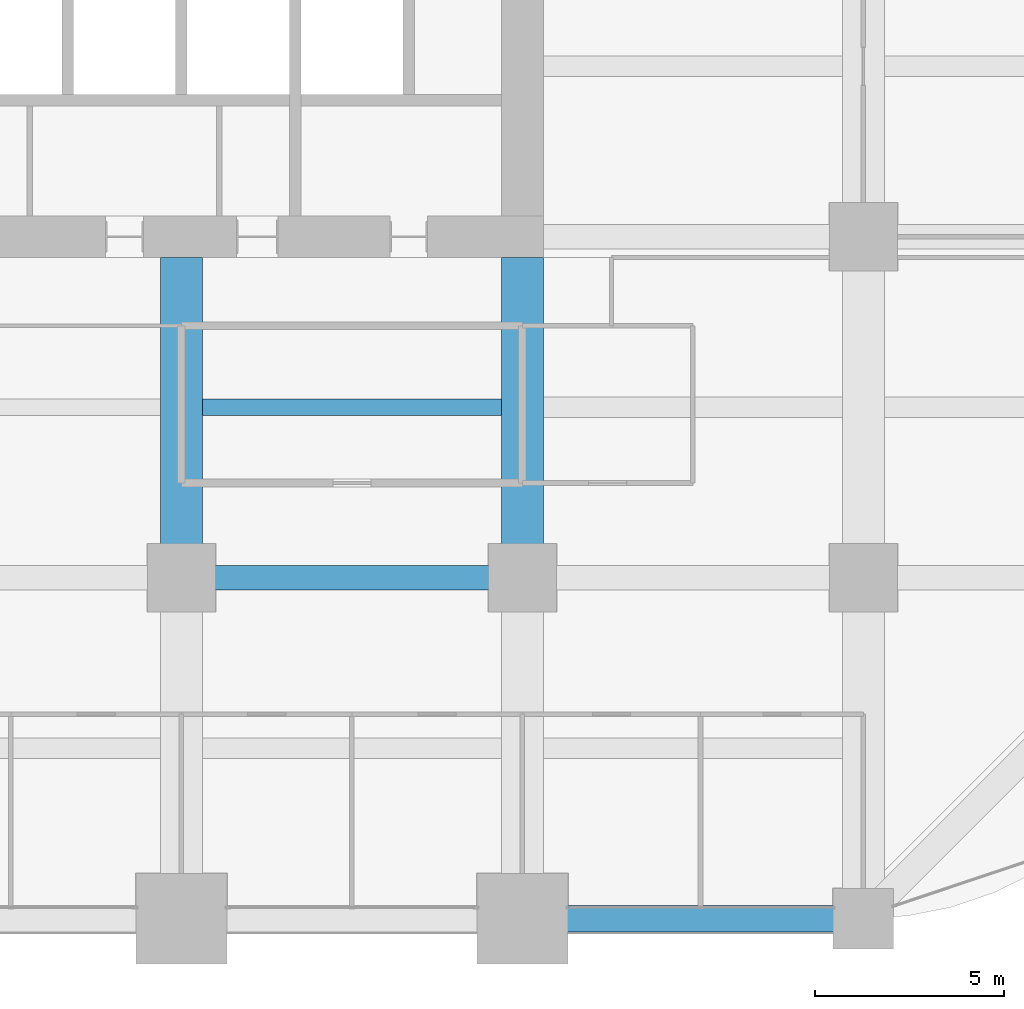
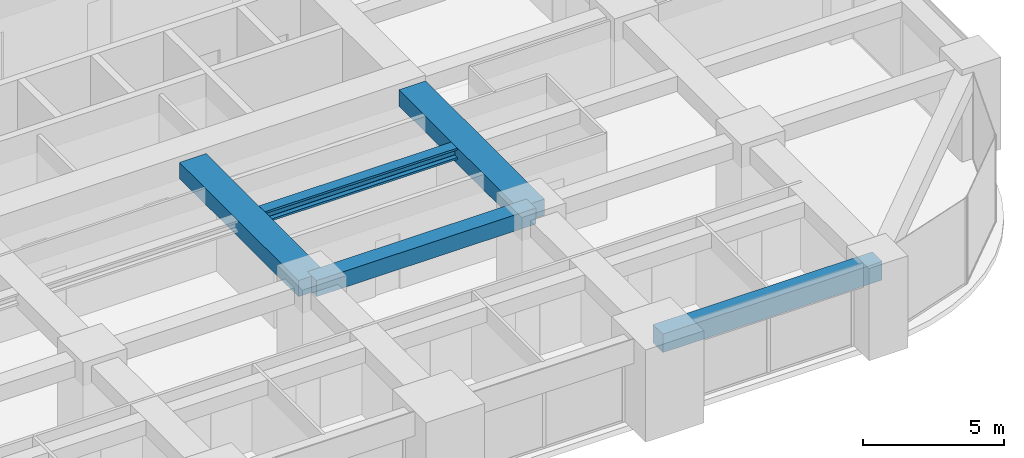
# One storey, part 15 of 40: 5 beams.
"""IFC4 building model written with IfcOpenShell, lengths in metres."""

from ifc_helpers import new_model, si_unit, direction, frame, origin, origin_2d, place, context, subcontext, project, spatial, rectangle, i_section, extrude, material, material_profile, profile_set, type_object, element, save


model = new_model("IFC4")

# Units and contexts
model_context = context("Model", 3, precision=1e-05, world=origin(), true_north=direction((0.0, 1.0)))
body_context = subcontext(model_context, "Body", "Model", "MODEL_VIEW")
ifc_project = project(units=[si_unit("LENGTHUNIT", "METRE"), si_unit("AREAUNIT", "SQUARE_METRE"), si_unit("VOLUMEUNIT", "CUBIC_METRE"), si_unit("PLANEANGLEUNIT", "RADIAN"), si_unit("MASSUNIT", "GRAM", prefix="KILO")], contexts=[model_context])

# Site, building, storey
site_placement = place(None, origin())
site = spatial("IfcSite", under=ifc_project, at=site_placement, CompositionType="ELEMENT")
building_placement = place(site_placement, origin())
building = spatial("IfcBuilding", under=site, at=building_placement, Name="Zorevar Civic Tower", CompositionType="ELEMENT")
storey_placement = place(building_placement, frame((0.0, 0.0, 133.0)))
storey = spatial("IfcBuildingStorey", under=building, at=storey_placement, Name="L32", CompositionType="ELEMENT", Elevation=133.0)

# Beams
ifc_material_1 = material(Name="Concrete C50/60", Category="concrete")
ifc_material_profile_1 = material_profile(ifc_material_1, rectangle(XDim=1.10009765625, YDim=0.699951171875, at=origin_2d()), Name="RC 1100x700")
ifc_profile_set_1 = profile_set([ifc_material_profile_1], Name="Concrete C50/60")
beam_type_1 = type_object("IfcBeamType", Name="Beam RC 1100x700", PredefinedType="BEAM", material=ifc_profile_set_1)
for number, where, z_axis, x_axis, name in (
    (1, (36.0, 9.0, 3.39990234375), (0.0, 1.0, 0.0), (-1.0, 0.0, 0.0), "Girder L33"),
    (2, (45.0, 9.0, 3.39990234375), (0.0, 1.0, 0.0), (-1.0, 0.0, 0.0), "Girder L33"),
):
    element("IfcBeam", number, at=place(storey_placement, frame(where, z_axis=z_axis, x_axis=x_axis)), inside=storey, type_object=beam_type_1, Name=name, PredefinedType="BEAM", context=body_context, shape_type="SweptSolid", body=[
        extrude(rectangle(XDim=1.10009765625, YDim=0.699951171875, at=origin_2d()), origin(), (0.0, 0.0, 1.0), 8.449951171875),
    ])
ifc_material_2 = material(Name="Concrete C50/60", Category="concrete")
ifc_material_profile_2 = material_profile(ifc_material_2, rectangle(XDim=0.64990234375, YDim=0.699951171875, at=origin_2d()), Name="RC 650x700")
ifc_profile_set_2 = profile_set([ifc_material_profile_2], Name="Concrete C50/60")
beam_type_2 = type_object("IfcBeamType", Name="Beam RC 650x700", PredefinedType="BEAM", material=ifc_profile_set_2)
beam_1_placement = place(storey_placement, frame((36.0, 9.0, 3.39990234375), z_axis=(1.0, 0.0, 0.0), x_axis=(0.0, 1.0, 0.0)))
element("IfcBeam", 3, at=beam_1_placement, inside=storey, type_object=beam_type_2, Name="Girder L33", PredefinedType="BEAM", context=body_context, shape_type="SweptSolid", body=[
    extrude(rectangle(XDim=0.64990234375, YDim=0.699951171875, at=origin_2d()), origin(), (0.0, 0.0, 1.0), 9.0),
])
ifc_material_3 = material(Name="Steel S460M (HISTAR 460)", Category="steel")
ifc_material_profile_3 = material_profile(ifc_material_3, i_section(OverallWidth=0.431884765625, OverallDepth=0.498046875, WebThickness=0.0556640625, FlangeThickness=0.0888671875, FilletRadius=0.014892578125, at=origin_2d()), Name="HD 400x744")
ifc_profile_set_3 = profile_set([ifc_material_profile_3], Name="Steel S460M (HISTAR 460)")
beam_type_3 = type_object("IfcBeamType", Name="Core bay beam HD 400x744", PredefinedType="BEAM", material=ifc_profile_set_3)
beam_2_placement = place(storey_placement, frame((36.550048828125, 13.5, 3.5009765625), z_axis=(1.0, 0.0, 0.0), x_axis=(0.0, 1.0, 0.0)))
element("IfcBeam", 4, at=beam_2_placement, inside=storey, type_object=beam_type_3, Name="Secondary beam L33", PredefinedType="BEAM", context=body_context, shape_type="SweptSolid", body=[
    extrude(i_section(OverallWidth=0.431884765625, OverallDepth=0.498046875, WebThickness=0.0556640625, FlangeThickness=0.0888671875, FilletRadius=0.014892578125, at=origin_2d()), origin(), (0.0, 0.0, 1.0), 7.89990234375),
])
ifc_material_4 = material(Name="Concrete C50/60", Category="concrete")
ifc_material_profile_4 = material_profile(ifc_material_4, rectangle(XDim=0.699951171875, YDim=0.800048828125, at=origin_2d()), Name="RC 700x800")
ifc_profile_set_4 = profile_set([ifc_material_profile_4], Name="Concrete C50/60")
beam_type_4 = type_object("IfcBeamType", Name="Edge beam RC 700x800", PredefinedType="SPANDREL", material=ifc_profile_set_4)
beam_3_placement = place(storey_placement, frame((45.0, 0.0, 3.35009765625), z_axis=(1.0, 0.0, 0.0), x_axis=(0.0, 1.0, 0.0)))
element("IfcBeam", 5, at=beam_3_placement, inside=storey, type_object=beam_type_4, Name="Edge beam L33", PredefinedType="SPANDREL", context=body_context, shape_type="SweptSolid", body=[
    extrude(rectangle(XDim=0.699951171875, YDim=0.800048828125, at=origin_2d()), origin(), (0.0, 0.0, 1.0), 9.0),
])

save(model, "model.ifc")
